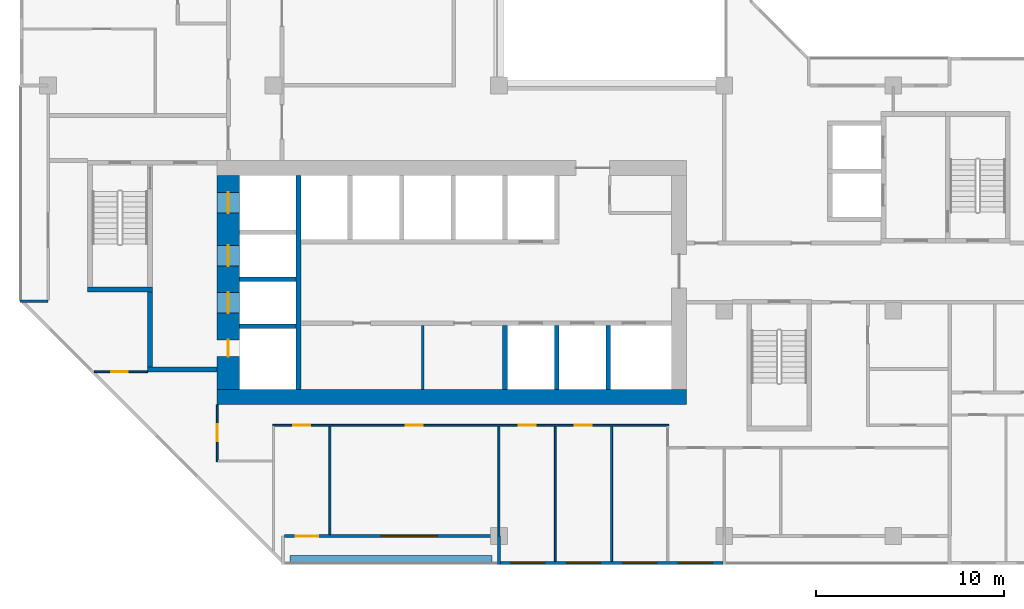
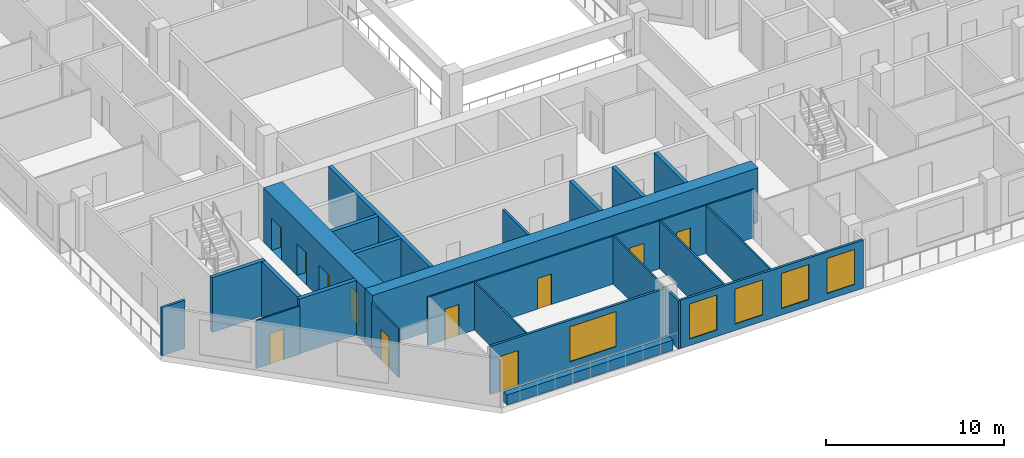
# One storey, part 4 of 15: 24 walls, 11 doors, 5 windows, 16 openings.
"""IFC4 building model written with IfcOpenShell, lengths in metres."""

from ifc_helpers import new_model, si_unit, direction, frame, frame_2d, origin, place, context, subcontext, project, spatial, rectangle, extrude, material, layer, layer_set, type_object, element, fill, save


model = new_model("IFC4")

# Units and contexts
model_context = context("Model", 3, precision=1e-05, world=origin(), true_north=direction((0.0, 1.0)))
body_context = subcontext(model_context, "Body", "Model", "MODEL_VIEW")
ifc_project = project(units=[si_unit("LENGTHUNIT", "METRE"), si_unit("AREAUNIT", "SQUARE_METRE"), si_unit("VOLUMEUNIT", "CUBIC_METRE"), si_unit("PLANEANGLEUNIT", "RADIAN"), si_unit("MASSUNIT", "GRAM", prefix="KILO")], contexts=[model_context])

# Site, building, storey
site_placement = place(None, origin())
site = spatial("IfcSite", under=ifc_project, at=site_placement, CompositionType="ELEMENT")
building_placement = place(site_placement, origin())
building = spatial("IfcBuilding", under=site, at=building_placement, Name="Chenar Terraces", CompositionType="ELEMENT")
storey_placement = place(building_placement, frame((0.0, 0.0, 202.39990234375)))
storey = spatial("IfcBuildingStorey", under=building, at=storey_placement, Name="L47", CompositionType="ELEMENT", Elevation=202.39990234375)

# Wall
ifc_material_1 = material(Name="Gypsum board on steel studs", Category="steel")
ifc_layer_1 = layer(ifc_material_1, 0.14990234375)
ifc_layer_set_1 = layer_set([ifc_layer_1], Name="Gypsum board on steel studs")
wall_type_1 = type_object("IfcWallType", Name="Core partition 150 gypsum board", PredefinedType="PARTITIONING", material=ifc_layer_set_1)
wall_1_placement = place(storey_placement, frame((19.949951171875, 7.800048828125, 0.0), z_axis=(0.0, 0.0, 1.0), x_axis=(0.0, 1.0, 0.0)))
element("IfcWall", 1, at=wall_1_placement, inside=storey, type_object=wall_type_1, Name="Core partition CP1 freed bay wall", PredefinedType="PARTITIONING", context=body_context, shape_type="SweptSolid", body=[
    extrude(rectangle(XDim=3.39990234375, YDim=0.14990234375, at=frame_2d((1.699951171875, 0.0))), origin(), (0.0, 0.0, 1.0), 3.300048828125),
])

# Wall, openings, doors
ifc_material_2 = material(Name="Concrete C60/75", Category="concrete")
ifc_layer_2 = layer(ifc_material_2, 1.199951171875)
ifc_layer_set_2 = layer_set([ifc_layer_2], Name="Concrete C60/75")
wall_type_2 = type_object("IfcWallType", Name="Core wall 1200 Concrete C60/75", PredefinedType="SHEAR", material=ifc_layer_set_2)
wall_2_placement = place(storey_placement, frame((9.60009765625, 7.800048828125, 0.0), z_axis=(0.0, 0.0, 1.0), x_axis=(0.0, 1.0, 0.0)))
wall_2 = element("IfcWall", 2, at=wall_2_placement, inside=storey, type_object=wall_type_2, Name="Core wall W L47", PredefinedType="SHEAR", context=body_context, shape_type="SweptSolid", body=[
    extrude(rectangle(XDim=11.39990234375, YDim=1.199951171875, at=frame_2d((5.699951171875, 0.0))), origin(), (0.0, 0.0, 1.0), 3.75),
])
opening_1_placement = place(wall_2_placement, frame((4.074951171875, 0.0, 0.0)))
opening_1 = element("IfcOpeningElement", 3, at=opening_1_placement, cuts=wall_2, Name="Opening DL47-LD5", PredefinedType="OPENING", context=body_context, shape_type="SweptSolid", body=[
    extrude(rectangle(XDim=1.10009765625, YDim=2.199951171875, at=frame_2d((0.550048828125, 1.10009765625))), frame((0.0, 0.60986328125, 0.0), z_axis=(0.0, -1.0, 0.0), x_axis=(1.0, 0.0, 0.0)), (0.0, 0.0, 1.0), 1.219970703125),
])
opening_2_placement = place(wall_2_placement, frame((6.574951171875, 0.0, 0.0)))
opening_2 = element("IfcOpeningElement", 4, at=opening_2_placement, cuts=wall_2, Name="Opening DL47-LD6", PredefinedType="OPENING", context=body_context, shape_type="SweptSolid", body=[
    extrude(rectangle(XDim=1.10009765625, YDim=2.199951171875, at=frame_2d((0.550048828125, 1.10009765625))), frame((0.0, 0.60986328125, 0.0), z_axis=(0.0, -1.0, 0.0), x_axis=(1.0, 0.0, 0.0)), (0.0, 0.0, 1.0), 1.219970703125),
])
opening_3_placement = place(wall_2_placement, frame((9.39990234375, 0.0, 0.0)))
opening_3 = element("IfcOpeningElement", 5, at=opening_3_placement, cuts=wall_2, Name="Opening DL47-LD7", PredefinedType="OPENING", context=body_context, shape_type="SweptSolid", body=[
    extrude(rectangle(XDim=1.10009765625, YDim=2.199951171875, at=frame_2d((0.550048828125, 1.10009765625))), frame((0.0, 0.60986328125, 0.0), z_axis=(0.0, -1.0, 0.0), x_axis=(1.0, 0.0, 0.0)), (0.0, 0.0, 1.0), 1.219970703125),
])
opening_4_placement = place(wall_2_placement, frame((1.75, 0.0, 0.0)))
opening_4 = element("IfcOpeningElement", 6, at=opening_4_placement, cuts=wall_2, Name="Opening DL47-C4", PredefinedType="OPENING", context=body_context, shape_type="SweptSolid", body=[
    extrude(rectangle(XDim=0.89990234375, YDim=2.10009765625, at=frame_2d((0.449951171875, 1.050048828125))), frame((0.0, 0.60986328125, 0.0), z_axis=(0.0, -1.0, 0.0), x_axis=(1.0, 0.0, 0.0)), (0.0, 0.0, 1.0), 1.219970703125),
])
ifc_material_3 = material(Name="Stainless steel", Category="steel")
door_type_1 = type_object("IfcDoorType", Name="Lift landing door 1100 x 2200 sliding", OperationType="DOUBLE_DOOR_SLIDING", PredefinedType="DOOR", material=ifc_material_3)
door_1_placement = place(opening_1_placement, origin())
door_1 = element("IfcDoor", 7, at=door_1_placement, inside=storey, type_object=door_type_1, Name="Landing door S1", OperationType="DOUBLE_DOOR_SLIDING", OverallHeight=2.199951171875, OverallWidth=1.10009765625, PredefinedType="DOOR", context=body_context, shape_type="SweptSolid", body=[
    extrude(rectangle(XDim=1.10009765625, YDim=2.199951171875, at=frame_2d((0.550048828125, 1.10009765625))), frame((0.0, 0.02490234375, 0.0), z_axis=(0.0, -1.0, 0.0), x_axis=(1.0, 0.0, 0.0)), (0.0, 0.0, 1.0), 0.050048828125),
])
fill(opening_1, door_1)
door_2_placement = place(opening_2_placement, origin())
door_2 = element("IfcDoor", 8, at=door_2_placement, inside=storey, type_object=door_type_1, Name="Landing door F1", OperationType="DOUBLE_DOOR_SLIDING", OverallHeight=2.199951171875, OverallWidth=1.10009765625, PredefinedType="DOOR", context=body_context, shape_type="SweptSolid", body=[
    extrude(rectangle(XDim=1.10009765625, YDim=2.199951171875, at=frame_2d((0.550048828125, 1.10009765625))), frame((0.0, 0.02490234375, 0.0), z_axis=(0.0, -1.0, 0.0), x_axis=(1.0, 0.0, 0.0)), (0.0, 0.0, 1.0), 0.050048828125),
])
fill(opening_2, door_2)
door_3_placement = place(opening_3_placement, origin())
door_3 = element("IfcDoor", 9, at=door_3_placement, inside=storey, type_object=door_type_1, Name="Landing door F2", OperationType="DOUBLE_DOOR_SLIDING", OverallHeight=2.199951171875, OverallWidth=1.10009765625, PredefinedType="DOOR", context=body_context, shape_type="SweptSolid", body=[
    extrude(rectangle(XDim=1.10009765625, YDim=2.199951171875, at=frame_2d((0.550048828125, 1.10009765625))), frame((0.0, 0.02490234375, 0.0), z_axis=(0.0, -1.0, 0.0), x_axis=(1.0, 0.0, 0.0)), (0.0, 0.0, 1.0), 0.050048828125),
])
fill(opening_3, door_3)
ifc_material_4 = material(Name="Steel-framed fire-resisting door leaf", Category="steel")
door_type_2 = type_object("IfcDoorType", Name="Riser fire door FD60 900 x 2100", OperationType="SINGLE_SWING_LEFT", PredefinedType="DOOR", material=ifc_material_4)
door_4_placement = place(opening_4_placement, frame((0.89990234375, 0.0, 0.0), z_axis=(0.0, 0.0, 1.0), x_axis=(-1.0, 0.0, 0.0)))
door_4 = element("IfcDoor", 10, at=door_4_placement, inside=storey, type_object=door_type_2, Name="Riser door DL47-C4", OperationType="SINGLE_SWING_LEFT", OverallHeight=2.10009765625, OverallWidth=0.89990234375, PredefinedType="DOOR", context=body_context, shape_type="SweptSolid", body=[
    extrude(rectangle(XDim=0.89990234375, YDim=2.10009765625, at=frame_2d((0.449951171875, 1.050048828125))), frame((0.0, 0.02490234375, 0.0), z_axis=(0.0, -1.0, 0.0), x_axis=(1.0, 0.0, 0.0)), (0.0, 0.0, 1.0), 0.050048828125),
])
fill(opening_4, door_4)

# Walls
ifc_material_5 = material(Name="Concrete C60/75", Category="concrete")
ifc_layer_3 = layer(ifc_material_5, 0.25)
ifc_layer_set_3 = layer_set([ifc_layer_3], Name="Concrete C60/75")
wall_type_3 = type_object("IfcWallType", Name="Core wall 250 Concrete C60/75", PredefinedType="SHEAR", material=ifc_layer_set_3)
wall_3_placement = place(storey_placement, frame((13.324951171875, 7.800048828125, 0.0), z_axis=(0.0, 0.0, 1.0), x_axis=(0.0, 1.0, 0.0)))
element("IfcWall", 11, at=wall_3_placement, inside=storey, type_object=wall_type_3, Name="Core wall WI L47", PredefinedType="SHEAR", context=body_context, shape_type="SweptSolid", body=[
    extrude(rectangle(XDim=11.39990234375, YDim=0.25, at=frame_2d((5.699951171875, 0.0))), origin(), (0.0, 0.0, 1.0), 3.75),
])
for number, where, z_axis, x_axis, name in (
    (12, (10.199951171875, 11.175048828125, 0.0), (0.0, 0.0, 1.0), (1.0, 0.0, 0.0), "Core wall HW0 L47"),
    (13, (10.199951171875, 13.675048828125, 0.0), (0.0, 0.0, 1.0), (1.0, 0.0, 0.0), "Core wall HW1 L47"),
):
    element("IfcWall", number, at=place(storey_placement, frame(where, z_axis=z_axis, x_axis=x_axis)), inside=storey, type_object=wall_type_3, Name=name, PredefinedType="SHEAR", context=body_context, shape_type="SweptSolid", body=[
        extrude(rectangle(XDim=3.0, YDim=0.25, at=frame_2d((1.5, 0.0))), origin(), (0.0, 0.0, 1.0), 3.75),
    ])
for number, where, z_axis, x_axis, name in (
    (14, (24.324951171875, 7.800048828125, 0.0), (0.0, 0.0, 1.0), (0.0, 1.0, 0.0), "Core wall SS3 L47"),
    (15, (27.074951171875, 7.800048828125, 0.0), (0.0, 0.0, 1.0), (0.0, 1.0, 0.0), "Core wall SS4 L47"),
    (16, (29.824951171875, 7.800048828125, 0.0), (0.0, 0.0, 1.0), (0.0, 1.0, 0.0), "Core wall SS5 L47"),
):
    element("IfcWall", number, at=place(storey_placement, frame(where, z_axis=z_axis, x_axis=x_axis)), inside=storey, type_object=wall_type_3, Name=name, PredefinedType="SHEAR", context=body_context, shape_type="SweptSolid", body=[
        extrude(rectangle(XDim=3.39990234375, YDim=0.25, at=frame_2d((1.699951171875, 0.0))), origin(), (0.0, 0.0, 1.0), 3.75),
    ])
wall_4_placement = place(storey_placement, frame((2.10009765625, 13.125, 0.0), z_axis=(0.0, 0.0, 1.0), x_axis=(1.0, 0.0, 0.0)))
element("IfcWall", 17, at=wall_4_placement, inside=storey, type_object=wall_type_3, Name="Core wall ST1_S L47", PredefinedType="SHEAR", context=body_context, shape_type="SweptSolid", body=[
    extrude(rectangle(XDim=3.449951171875, YDim=0.25, at=frame_2d((1.72509765625, 0.0))), origin(), (0.0, 0.0, 1.0), 3.75),
])
wall_5_placement = place(storey_placement, frame((5.300048828125, 8.875, 0.0), z_axis=(0.0, 0.0, 1.0), x_axis=(1.0, 0.0, 0.0)))
element("IfcWall", 18, at=wall_5_placement, inside=storey, type_object=wall_type_3, Name="Core wall FFL_S L47", PredefinedType="SHEAR", context=body_context, shape_type="SweptSolid", body=[
    extrude(rectangle(XDim=3.699951171875, YDim=0.25, at=frame_2d((1.85009765625, 0.0))), origin(), (0.0, 0.0, 1.0), 3.75),
])
wall_6_placement = place(storey_placement, frame((5.425048828125, 9.0, 0.0), z_axis=(0.0, 0.0, 1.0), x_axis=(0.0, 1.0, 0.0)))
element("IfcWall", 19, at=wall_6_placement, inside=storey, type_object=wall_type_3, Name="Core wall FFL_W L47", PredefinedType="SHEAR", context=body_context, shape_type="SweptSolid", body=[
    extrude(rectangle(XDim=4.0, YDim=0.25, at=frame_2d((2.0, 0.0))), origin(), (0.0, 0.0, 1.0), 3.75),
])
ifc_material_6 = material(Name="Concrete C60/75", Category="concrete")
ifc_layer_4 = layer(ifc_material_6, 0.800048828125)
ifc_layer_set_4 = layer_set([ifc_layer_4], Name="Concrete C60/75")
wall_type_4 = type_object("IfcWallType", Name="Core wall 800 Concrete C60/75", PredefinedType="SHEAR", material=ifc_layer_set_4)
wall_7_placement = place(storey_placement, frame((9.0, 7.39990234375, 0.0), z_axis=(0.0, 0.0, 1.0), x_axis=(1.0, 0.0, 0.0)))
element("IfcWall", 20, at=wall_7_placement, inside=storey, type_object=wall_type_4, Name="Core wall S L47", PredefinedType="SHEAR", context=body_context, shape_type="SweptSolid", body=[
    extrude(rectangle(XDim=25.0, YDim=0.800048828125, at=frame_2d((12.5, 0.0))), origin(), (0.0, 0.0, 1.0), 3.75),
])

# Wall, openings, windows
ifc_material_7 = material(Name="Aluminium framed glazing", Category="aluminium")
ifc_layer_5 = layer(ifc_material_7, 0.14990234375)
ifc_layer_set_5 = layer_set([ifc_layer_5], Name="Aluminium framed glazing")
wall_type_5 = type_object("IfcWallType", Name="Glazed flush facade wall 150", PredefinedType="SOLIDWALL", material=ifc_layer_set_5)
wall_8_placement = place(storey_placement, frame((24.074951171875, -1.425048828125, 0.0), z_axis=(0.0, 0.0, 1.0), x_axis=(1.0, 0.0, 0.0)))
wall_8 = element("IfcWall", 21, at=wall_8_placement, inside=storey, type_object=wall_type_5, Name="Glazed flush facade wall", PredefinedType="SOLIDWALL", context=body_context, shape_type="SweptSolid", body=[
    extrude(rectangle(XDim=11.85009765625, YDim=0.14990234375, at=frame_2d((5.925048828125, 0.0))), origin(), (0.0, 0.0, 1.0), 3.300048828125),
])
opening_5_placement = place(wall_8_placement, frame((0.5625, 0.0, 0.449951171875)))
opening_5 = element("IfcOpeningElement", 22, at=opening_5_placement, cuts=wall_8, Name="Opening W180x240", PredefinedType="OPENING", context=body_context, shape_type="SweptSolid", body=[
    extrude(rectangle(XDim=1.800048828125, YDim=2.39990234375, at=frame_2d((0.89990234375, 1.199951171875))), frame((0.0, 0.0849609375, 0.0), z_axis=(0.0, -1.0, 0.0), x_axis=(1.0, 0.0, 0.0)), (0.0, 0.0, 1.0), 0.169921875),
])
opening_6_placement = place(wall_8_placement, frame((3.52490234375, 0.0, 0.449951171875)))
opening_6 = element("IfcOpeningElement", 23, at=opening_6_placement, cuts=wall_8, Name="Opening W180x240", PredefinedType="OPENING", context=body_context, shape_type="SweptSolid", body=[
    extrude(rectangle(XDim=1.800048828125, YDim=2.39990234375, at=frame_2d((0.89990234375, 1.199951171875))), frame((0.0, 0.0849609375, 0.0), z_axis=(0.0, -1.0, 0.0), x_axis=(1.0, 0.0, 0.0)), (0.0, 0.0, 1.0), 0.169921875),
])
opening_7_placement = place(wall_8_placement, frame((6.52490234375, 0.0, 0.449951171875)))
opening_7 = element("IfcOpeningElement", 24, at=opening_7_placement, cuts=wall_8, Name="Opening W180x240", PredefinedType="OPENING", context=body_context, shape_type="SweptSolid", body=[
    extrude(rectangle(XDim=1.800048828125, YDim=2.39990234375, at=frame_2d((0.89990234375, 1.199951171875))), frame((0.0, 0.0849609375, 0.0), z_axis=(0.0, -1.0, 0.0), x_axis=(1.0, 0.0, 0.0)), (0.0, 0.0, 1.0), 0.169921875),
])
opening_8_placement = place(wall_8_placement, frame((9.487548828125, 0.0, 0.449951171875)))
opening_8 = element("IfcOpeningElement", 25, at=opening_8_placement, cuts=wall_8, Name="Opening W180x240", PredefinedType="OPENING", context=body_context, shape_type="SweptSolid", body=[
    extrude(rectangle(XDim=1.800048828125, YDim=2.39990234375, at=frame_2d((0.89990234375, 1.199951171875))), frame((0.0, 0.0849609375, 0.0), z_axis=(0.0, -1.0, 0.0), x_axis=(1.0, 0.0, 0.0)), (0.0, 0.0, 1.0), 0.169921875),
])
ifc_material_8 = material(Name="Low emissivity double glazing, aluminium frame", Category="aluminium")
window_type_1 = type_object("IfcWindowType", Name="Fixed light 1800 x 2400", PartitioningType="SINGLE_PANEL", PredefinedType="WINDOW", material=ifc_material_8)
window_1_placement = place(opening_5_placement, origin())
window_1 = element("IfcWindow", 26, at=window_1_placement, inside=storey, type_object=window_type_1, Name="Window", OverallHeight=2.39990234375, OverallWidth=1.800048828125, PartitioningType="SINGLE_PANEL", PredefinedType="WINDOW", context=body_context, shape_type="SweptSolid", body=[
    extrude(rectangle(XDim=1.800048828125, YDim=2.39990234375, at=frame_2d((0.89990234375, 1.199951171875))), frame((0.0, 0.030029296875, 0.0), z_axis=(0.0, -1.0, 0.0), x_axis=(1.0, 0.0, 0.0)), (0.0, 0.0, 1.0), 0.06005859375),
])
fill(opening_5, window_1)
window_2_placement = place(opening_6_placement, origin())
window_2 = element("IfcWindow", 27, at=window_2_placement, inside=storey, type_object=window_type_1, Name="Window", OverallHeight=2.39990234375, OverallWidth=1.800048828125, PartitioningType="SINGLE_PANEL", PredefinedType="WINDOW", context=body_context, shape_type="SweptSolid", body=[
    extrude(rectangle(XDim=1.800048828125, YDim=2.39990234375, at=frame_2d((0.89990234375, 1.199951171875))), frame((0.0, 0.030029296875, 0.0), z_axis=(0.0, -1.0, 0.0), x_axis=(1.0, 0.0, 0.0)), (0.0, 0.0, 1.0), 0.06005859375),
])
fill(opening_6, window_2)
window_3_placement = place(opening_7_placement, origin())
window_3 = element("IfcWindow", 28, at=window_3_placement, inside=storey, type_object=window_type_1, Name="Window", OverallHeight=2.39990234375, OverallWidth=1.800048828125, PartitioningType="SINGLE_PANEL", PredefinedType="WINDOW", context=body_context, shape_type="SweptSolid", body=[
    extrude(rectangle(XDim=1.800048828125, YDim=2.39990234375, at=frame_2d((0.89990234375, 1.199951171875))), frame((0.0, 0.030029296875, 0.0), z_axis=(0.0, -1.0, 0.0), x_axis=(1.0, 0.0, 0.0)), (0.0, 0.0, 1.0), 0.06005859375),
])
fill(opening_7, window_3)
window_4_placement = place(opening_8_placement, origin())
window_4 = element("IfcWindow", 29, at=window_4_placement, inside=storey, type_object=window_type_1, Name="Window", OverallHeight=2.39990234375, OverallWidth=1.800048828125, PartitioningType="SINGLE_PANEL", PredefinedType="WINDOW", context=body_context, shape_type="SweptSolid", body=[
    extrude(rectangle(XDim=1.800048828125, YDim=2.39990234375, at=frame_2d((0.89990234375, 1.199951171875))), frame((0.0, 0.030029296875, 0.0), z_axis=(0.0, -1.0, 0.0), x_axis=(1.0, 0.0, 0.0)), (0.0, 0.0, 1.0), 0.06005859375),
])
fill(opening_8, window_4)

# Wall, openings, window, door
ifc_material_9 = material(Name="Aluminium framed glazing", Category="aluminium")
ifc_layer_6 = layer(ifc_material_9, 0.14990234375)
ifc_layer_set_6 = layer_set([ifc_layer_6], Name="Aluminium framed glazing")
wall_type_6 = type_object("IfcWallType", Name="Glazed loggia back wall 150", PredefinedType="SOLIDWALL", material=ifc_layer_set_6)
wall_9_placement = place(storey_placement, frame((12.574951171875, 0.0, 0.0), z_axis=(0.0, 0.0, 1.0), x_axis=(1.0, 0.0, 0.0)))
wall_9 = element("IfcWall", 30, at=wall_9_placement, inside=storey, type_object=wall_type_6, Name="Glazed loggia back wall", PredefinedType="SOLIDWALL", context=body_context, shape_type="SweptSolid", body=[
    extrude(rectangle(XDim=11.35009765625, YDim=0.14990234375, at=frame_2d((5.675048828125, 0.0))), origin(), (0.0, 0.0, 1.0), 3.300048828125),
])
opening_9_placement = place(wall_9_placement, frame((0.612548828125, 0.0, 0.0)))
opening_9 = element("IfcOpeningElement", 31, at=opening_9_placement, cuts=wall_9, Name="Opening DL47-G5", PredefinedType="OPENING", context=body_context, shape_type="SweptSolid", body=[
    extrude(rectangle(XDim=1.199951171875, YDim=2.39990234375, at=frame_2d((0.60009765625, 1.199951171875))), frame((0.0, 0.0849609375, 0.0), z_axis=(0.0, -1.0, 0.0), x_axis=(1.0, 0.0, 0.0)), (0.0, 0.0, 1.0), 0.169921875),
])
opening_10_placement = place(wall_9_placement, frame((5.14990234375, 0.0, 0.449951171875)))
opening_10 = element("IfcOpeningElement", 32, at=opening_10_placement, cuts=wall_9, Name="Opening W300x240", PredefinedType="OPENING", context=body_context, shape_type="SweptSolid", body=[
    extrude(rectangle(XDim=3.0, YDim=2.39990234375, at=frame_2d((1.5, 1.199951171875))), frame((0.0, 0.0849609375, 0.0), z_axis=(0.0, -1.0, 0.0), x_axis=(1.0, 0.0, 0.0)), (0.0, 0.0, 1.0), 0.169921875),
])
ifc_material_10 = material(Name="Low emissivity double glazing, aluminium frame", Category="aluminium")
window_type_2 = type_object("IfcWindowType", Name="Fixed light 3000 x 2400", PartitioningType="SINGLE_PANEL", PredefinedType="WINDOW", material=ifc_material_10)
window_5_placement = place(opening_10_placement, origin())
window_5 = element("IfcWindow", 33, at=window_5_placement, inside=storey, type_object=window_type_2, Name="Window", OverallHeight=2.39990234375, OverallWidth=3.0, PartitioningType="SINGLE_PANEL", PredefinedType="WINDOW", context=body_context, shape_type="SweptSolid", body=[
    extrude(rectangle(XDim=3.0, YDim=2.39990234375, at=frame_2d((1.5, 1.199951171875))), frame((0.0, 0.030029296875, 0.0), z_axis=(0.0, -1.0, 0.0), x_axis=(1.0, 0.0, 0.0)), (0.0, 0.0, 1.0), 0.06005859375),
])
fill(opening_10, window_5)
ifc_material_11 = material(Name="Low emissivity double glazing, aluminium frame", Category="aluminium")
door_type_3 = type_object("IfcDoorType", Name="Loggia glazed double door 1200 x 2400", OperationType="DOUBLE_DOOR_SINGLE_SWING", PredefinedType="DOOR", material=ifc_material_11)
door_5_placement = place(opening_9_placement, frame((1.199951171875, 0.0, 0.0), z_axis=(0.0, 0.0, 1.0), x_axis=(-1.0, 0.0, 0.0)))
door_5 = element("IfcDoor", 34, at=door_5_placement, inside=storey, type_object=door_type_3, Name="Loggia glazed door", OperationType="DOUBLE_DOOR_SINGLE_SWING", OverallHeight=2.39990234375, OverallWidth=1.199951171875, PredefinedType="DOOR", context=body_context, shape_type="SweptSolid", body=[
    extrude(rectangle(XDim=1.199951171875, YDim=2.39990234375, at=frame_2d((0.60009765625, 1.199951171875))), frame((0.0, 0.02490234375, 0.0), z_axis=(0.0, -1.0, 0.0), x_axis=(1.0, 0.0, 0.0)), (0.0, 0.0, 1.0), 0.050048828125),
])
fill(opening_9, door_5)

# Wall, opening, door
ifc_material_12 = material(Name="Gypsum board on steel studs", Category="steel")
ifc_layer_7 = layer(ifc_material_12, 0.10009765625)
ifc_layer_set_7 = layer_set([ifc_layer_7], Name="Gypsum board on steel studs")
wall_type_7 = type_object("IfcWallType", Name="Gypsum partition 100", PredefinedType="PARTITIONING", material=ifc_layer_set_7)
wall_10_placement = place(storey_placement, frame((2.4609375, 8.75, 0.0), z_axis=(0.0, 0.0, 1.0), x_axis=(1.0, 0.0, 0.0)))
wall_10 = element("IfcWall", 35, at=wall_10_placement, inside=storey, type_object=wall_type_7, Name="Partition L47-012", PredefinedType="PARTITIONING", context=body_context, shape_type="SweptSolid", body=[
    extrude(rectangle(XDim=2.839111328125, YDim=0.10009765625, at=frame_2d((1.41943359375, 0.0))), origin(), (0.0, 0.0, 1.0), 3.300048828125),
])
opening_11_placement = place(wall_10_placement, frame((0.888916015625, 0.0, 0.0)))
opening_11 = element("IfcOpeningElement", 36, at=opening_11_placement, cuts=wall_10, Name="Opening DL47-51", PredefinedType="OPENING", context=body_context, shape_type="SweptSolid", body=[
    extrude(rectangle(XDim=0.89990234375, YDim=2.10009765625, at=frame_2d((0.449951171875, 1.050048828125))), frame((0.0, 0.06005859375, 0.0), z_axis=(0.0, -1.0, 0.0), x_axis=(1.0, 0.0, 0.0)), (0.0, 0.0, 1.0), 0.1201171875),
])
ifc_material_13 = material(Name="Veneered timber door leaf", Category="wood")
door_type_4 = type_object("IfcDoorType", Name="Door 900 x 2100", OperationType="SINGLE_SWING_LEFT", PredefinedType="DOOR", material=ifc_material_13)
door_6_placement = place(opening_11_placement, frame((0.89990234375, 0.0, 0.0), z_axis=(0.0, 0.0, 1.0), x_axis=(-1.0, 0.0, 0.0)))
door_6 = element("IfcDoor", 37, at=door_6_placement, inside=storey, type_object=door_type_4, Name="Door DL47-51", OperationType="SINGLE_SWING_RIGHT", OverallHeight=2.10009765625, OverallWidth=0.89990234375, PredefinedType="DOOR", context=body_context, shape_type="SweptSolid", body=[
    extrude(rectangle(XDim=0.89990234375, YDim=2.10009765625, at=frame_2d((0.449951171875, 1.050048828125))), frame((0.0, 0.02490234375, 0.0), z_axis=(0.0, -1.0, 0.0), x_axis=(1.0, 0.0, 0.0)), (0.0, 0.0, 1.0), 0.050048828125),
])
fill(opening_11, door_6)

wall_11_placement = place(storey_placement, frame((9.0, 3.949951171875, 0.0), z_axis=(0.0, 0.0, 1.0), x_axis=(0.0, 1.0, 0.0)))
wall_11 = element("IfcWall", 38, at=wall_11_placement, inside=storey, type_object=wall_type_7, Name="Partition L47-031", PredefinedType="PARTITIONING", context=body_context, shape_type="SweptSolid", body=[
    extrude(rectangle(XDim=3.050048828125, YDim=0.10009765625, at=frame_2d((1.52490234375, 0.0))), origin(), (0.0, 0.0, 1.0), 3.300048828125),
])
opening_12_placement = place(wall_11_placement, frame((1.10009765625, 0.0, 0.0)))
opening_12 = element("IfcOpeningElement", 39, at=opening_12_placement, cuts=wall_11, Name="Opening DL47-50", PredefinedType="OPENING", context=body_context, shape_type="SweptSolid", body=[
    extrude(rectangle(XDim=0.89990234375, YDim=2.10009765625, at=frame_2d((0.449951171875, 1.050048828125))), frame((0.0, 0.06005859375, 0.0), z_axis=(0.0, -1.0, 0.0), x_axis=(1.0, 0.0, 0.0)), (0.0, 0.0, 1.0), 0.1201171875),
])
door_7_placement = place(opening_12_placement, origin())
door_7 = element("IfcDoor", 40, at=door_7_placement, inside=storey, type_object=door_type_4, Name="Door DL47-50", OperationType="SINGLE_SWING_LEFT", OverallHeight=2.10009765625, OverallWidth=0.89990234375, PredefinedType="DOOR", context=body_context, shape_type="SweptSolid", body=[
    extrude(rectangle(XDim=0.89990234375, YDim=2.10009765625, at=frame_2d((0.449951171875, 1.050048828125))), frame((0.0, 0.02490234375, 0.0), z_axis=(0.0, -1.0, 0.0), x_axis=(1.0, 0.0, 0.0)), (0.0, 0.0, 1.0), 0.050048828125),
])
fill(opening_12, door_7)

# Wall, openings, doors
wall_12_placement = place(storey_placement, frame((11.949951171875, 5.89990234375, 0.0), z_axis=(0.0, 0.0, 1.0), x_axis=(1.0, 0.0, 0.0)))
wall_12 = element("IfcWall", 41, at=wall_12_placement, inside=storey, type_object=wall_type_7, Name="Partition L47-034", PredefinedType="PARTITIONING", context=body_context, shape_type="SweptSolid", body=[
    extrude(rectangle(XDim=21.10009765625, YDim=0.10009765625, at=frame_2d((10.550048828125, 0.0))), origin(), (0.0, 0.0, 1.0), 3.300048828125),
])
opening_13_placement = place(wall_12_placement, frame((1.10009765625, 0.0, 0.0)))
opening_13 = element("IfcOpeningElement", 42, at=opening_13_placement, cuts=wall_12, Name="Opening DL47-44", PredefinedType="OPENING", context=body_context, shape_type="SweptSolid", body=[
    extrude(rectangle(XDim=0.89990234375, YDim=2.10009765625, at=frame_2d((0.449951171875, 1.050048828125))), frame((0.0, 0.06005859375, 0.0), z_axis=(0.0, -1.0, 0.0), x_axis=(1.0, 0.0, 0.0)), (0.0, 0.0, 1.0), 0.1201171875),
])
opening_14_placement = place(wall_12_placement, frame((13.10009765625, 0.0, 0.0)))
opening_14 = element("IfcOpeningElement", 43, at=opening_14_placement, cuts=wall_12, Name="Opening DL47-45", PredefinedType="OPENING", context=body_context, shape_type="SweptSolid", body=[
    extrude(rectangle(XDim=0.89990234375, YDim=2.10009765625, at=frame_2d((0.449951171875, 1.050048828125))), frame((0.0, 0.06005859375, 0.0), z_axis=(0.0, -1.0, 0.0), x_axis=(1.0, 0.0, 0.0)), (0.0, 0.0, 1.0), 0.1201171875),
])
opening_15_placement = place(wall_12_placement, frame((16.10009765625, 0.0, 0.0)))
opening_15 = element("IfcOpeningElement", 44, at=opening_15_placement, cuts=wall_12, Name="Opening DL47-46", PredefinedType="OPENING", context=body_context, shape_type="SweptSolid", body=[
    extrude(rectangle(XDim=0.89990234375, YDim=2.10009765625, at=frame_2d((0.449951171875, 1.050048828125))), frame((0.0, 0.06005859375, 0.0), z_axis=(0.0, -1.0, 0.0), x_axis=(1.0, 0.0, 0.0)), (0.0, 0.0, 1.0), 0.1201171875),
])
opening_16_placement = place(wall_12_placement, frame((7.10009765625, 0.0, 0.0)))
opening_16 = element("IfcOpeningElement", 45, at=opening_16_placement, cuts=wall_12, Name="Opening DL47-54", PredefinedType="OPENING", context=body_context, shape_type="SweptSolid", body=[
    extrude(rectangle(XDim=0.89990234375, YDim=2.10009765625, at=frame_2d((0.449951171875, 1.050048828125))), frame((0.0, 0.06005859375, 0.0), z_axis=(0.0, -1.0, 0.0), x_axis=(1.0, 0.0, 0.0)), (0.0, 0.0, 1.0), 0.1201171875),
])
door_8_placement = place(opening_13_placement, frame((0.89990234375, 0.0, 0.0), z_axis=(0.0, 0.0, 1.0), x_axis=(-1.0, 0.0, 0.0)))
door_8 = element("IfcDoor", 46, at=door_8_placement, inside=storey, type_object=door_type_4, Name="Door DL47-44", OperationType="SINGLE_SWING_RIGHT", OverallHeight=2.10009765625, OverallWidth=0.89990234375, PredefinedType="DOOR", context=body_context, shape_type="SweptSolid", body=[
    extrude(rectangle(XDim=0.89990234375, YDim=2.10009765625, at=frame_2d((0.449951171875, 1.050048828125))), frame((0.0, 0.02490234375, 0.0), z_axis=(0.0, -1.0, 0.0), x_axis=(1.0, 0.0, 0.0)), (0.0, 0.0, 1.0), 0.050048828125),
])
fill(opening_13, door_8)
door_9_placement = place(opening_14_placement, frame((0.89990234375, 0.0, 0.0), z_axis=(0.0, 0.0, 1.0), x_axis=(-1.0, 0.0, 0.0)))
door_9 = element("IfcDoor", 47, at=door_9_placement, inside=storey, type_object=door_type_4, Name="Door DL47-45", OperationType="SINGLE_SWING_RIGHT", OverallHeight=2.10009765625, OverallWidth=0.89990234375, PredefinedType="DOOR", context=body_context, shape_type="SweptSolid", body=[
    extrude(rectangle(XDim=0.89990234375, YDim=2.10009765625, at=frame_2d((0.449951171875, 1.050048828125))), frame((0.0, 0.02490234375, 0.0), z_axis=(0.0, -1.0, 0.0), x_axis=(1.0, 0.0, 0.0)), (0.0, 0.0, 1.0), 0.050048828125),
])
fill(opening_14, door_9)
door_10_placement = place(opening_15_placement, frame((0.89990234375, 0.0, 0.0), z_axis=(0.0, 0.0, 1.0), x_axis=(-1.0, 0.0, 0.0)))
door_10 = element("IfcDoor", 48, at=door_10_placement, inside=storey, type_object=door_type_4, Name="Door DL47-46", OperationType="SINGLE_SWING_RIGHT", OverallHeight=2.10009765625, OverallWidth=0.89990234375, PredefinedType="DOOR", context=body_context, shape_type="SweptSolid", body=[
    extrude(rectangle(XDim=0.89990234375, YDim=2.10009765625, at=frame_2d((0.449951171875, 1.050048828125))), frame((0.0, 0.02490234375, 0.0), z_axis=(0.0, -1.0, 0.0), x_axis=(1.0, 0.0, 0.0)), (0.0, 0.0, 1.0), 0.050048828125),
])
fill(opening_15, door_10)
door_11_placement = place(opening_16_placement, frame((0.89990234375, 0.0, 0.0), z_axis=(0.0, 0.0, 1.0), x_axis=(-1.0, 0.0, 0.0)))
door_11 = element("IfcDoor", 49, at=door_11_placement, inside=storey, type_object=door_type_4, Name="Door DL47-54", OperationType="SINGLE_SWING_RIGHT", OverallHeight=2.10009765625, OverallWidth=0.89990234375, PredefinedType="DOOR", context=body_context, shape_type="SweptSolid", body=[
    extrude(rectangle(XDim=0.89990234375, YDim=2.10009765625, at=frame_2d((0.449951171875, 1.050048828125))), frame((0.0, 0.02490234375, 0.0), z_axis=(0.0, -1.0, 0.0), x_axis=(1.0, 0.0, 0.0)), (0.0, 0.0, 1.0), 0.050048828125),
])
fill(opening_16, door_11)

# Walls
wall_13_placement = place(storey_placement, frame((15.0, 0.073974609375, 0.0), z_axis=(0.0, 0.0, 1.0), x_axis=(0.0, 1.0, 0.0)))
element("IfcWall", 50, at=wall_13_placement, inside=storey, type_object=wall_type_7, Name="Partition L47-046", PredefinedType="PARTITIONING", context=body_context, shape_type="SweptSolid", body=[
    extrude(rectangle(XDim=5.776123046875, YDim=0.10009765625, at=frame_2d((2.88818359375, 0.0))), origin(), (0.0, 0.0, 1.0), 3.300048828125),
])
wall_14_placement = place(storey_placement, frame((24.0, 0.0, 0.0), z_axis=(0.0, 0.0, 1.0), x_axis=(0.0, 1.0, 0.0)))
element("IfcWall", 51, at=wall_14_placement, inside=storey, type_object=wall_type_7, Name="Partition L47-059", PredefinedType="PARTITIONING", context=body_context, shape_type="SweptSolid", body=[
    extrude(rectangle(XDim=5.85009765625, YDim=0.10009765625, at=frame_2d((2.925048828125, 0.0))), origin(), (0.0, 0.0, 1.0), 3.300048828125),
])
for number, where, z_axis, x_axis, name in (
    (52, (27.0, -1.35107421875, 0.0), (0.0, 0.0, 1.0), (0.0, 1.0, 0.0), "Partition L47-060"),
    (53, (30.0, -1.35107421875, 0.0), (0.0, 0.0, 1.0), (0.0, 1.0, 0.0), "Partition L47-061"),
):
    element("IfcWall", number, at=place(storey_placement, frame(where, z_axis=z_axis, x_axis=x_axis)), inside=storey, type_object=wall_type_7, Name=name, PredefinedType="PARTITIONING", context=body_context, shape_type="SweptSolid", body=[
        extrude(rectangle(XDim=7.201171875, YDim=0.10009765625, at=frame_2d((3.6005859375, 0.0))), origin(), (0.0, 0.0, 1.0), 3.300048828125),
    ])
ifc_material_14 = material(Name="Terracotta cladding on insulated backing", Category="masonry")
ifc_layer_8 = layer(ifc_material_14, 0.14990234375)
ifc_layer_set_8 = layer_set([ifc_layer_8], Name="Terracotta cladding on insulated backing")
wall_type_8 = type_object("IfcWallType", Name="Loggia return wall 150", PredefinedType="SOLIDWALL", material=ifc_layer_set_8)
for number, where, z_axis, x_axis, name in (
    (54, (-1.5, 12.5, 0.0), (0.0, 0.0, 1.0), (1.0, 0.0, 0.0), "Loggia return wall"),
    (55, (24.0, -1.5, 0.0), (0.0, 0.0, 1.0), (0.0, 1.0, 0.0), "Loggia return wall"),
):
    element("IfcWall", number, at=place(storey_placement, frame(where, z_axis=z_axis, x_axis=x_axis)), inside=storey, type_object=wall_type_8, Name=name, PredefinedType="SOLIDWALL", context=body_context, shape_type="SweptSolid", body=[
        extrude(rectangle(XDim=1.5, YDim=0.14990234375, at=frame_2d((0.75, 0.0))), origin(), (0.0, 0.0, 1.0), 3.300048828125),
    ])
ifc_material_15 = material(Name="GRP planter trough")
ifc_layer_9 = layer(ifc_material_15, 0.39990234375)
ifc_layer_set_9 = layer_set([ifc_layer_9], Name="GRP planter trough")
wall_type_9 = type_object("IfcWallType", Name="Vertical greenery planter 400", PredefinedType="SOLIDWALL", material=ifc_layer_set_9)
wall_15_placement = place(storey_placement, frame((12.875, -1.22900390625, 0.0), z_axis=(0.0, 0.0, 1.0), x_axis=(1.0, 0.0, 0.0)))
element("IfcWall", 56, at=wall_15_placement, inside=storey, type_object=wall_type_9, Name="Vertical greenery planter", PredefinedType="SOLIDWALL", context=body_context, shape_type="SweptSolid", body=[
    extrude(rectangle(XDim=10.75, YDim=0.39990234375, at=frame_2d((5.375, 0.0))), origin(), (0.0, 0.0, 1.0), 0.7001953125),
])

save(model, "model.ifc")
